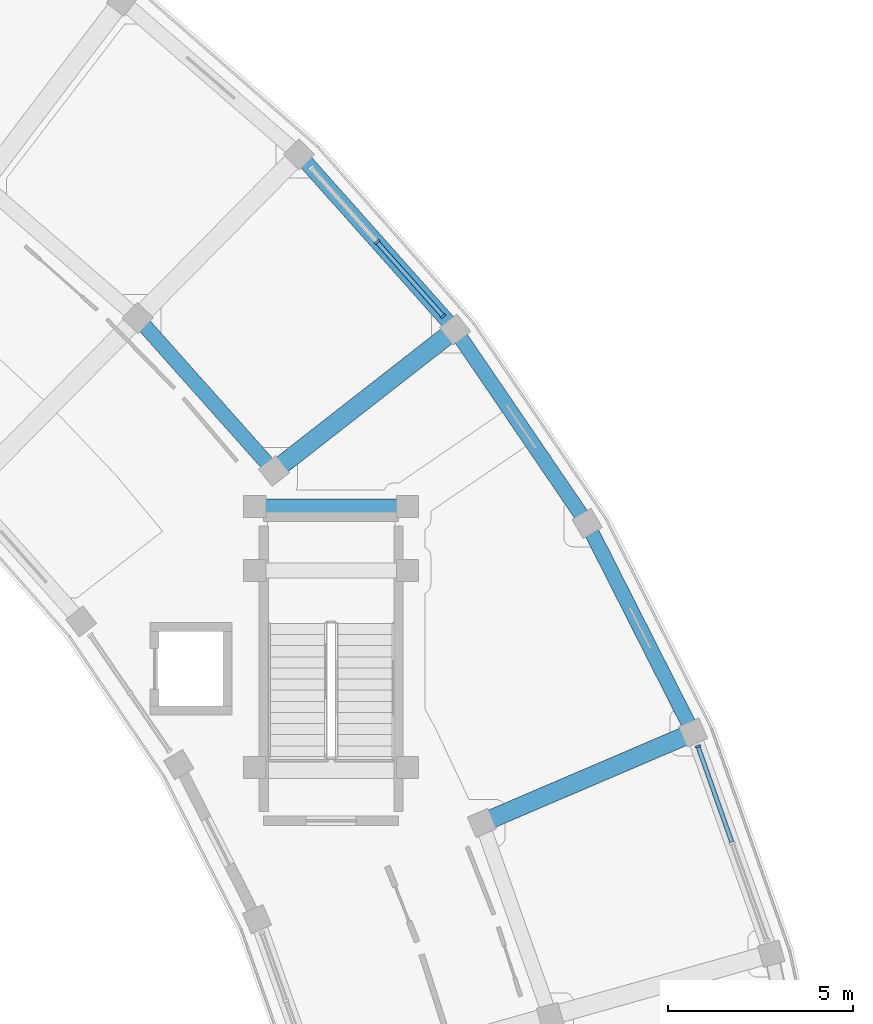
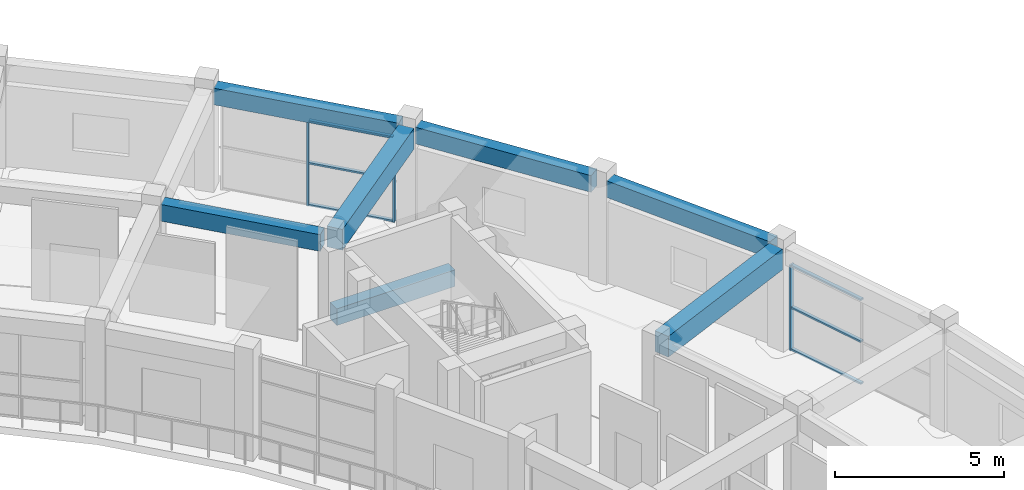
# One storey, part 35 of 72: 9 members, 7 beams, 2 elements without a shape of their own.
"""IFC4 building model written with IfcOpenShell, lengths in metres."""

import ifcopenshell
import ifcopenshell.guid

model = None  # the IFC model being written
_history = None  # IfcOwnerHistory: only IFC2X3 demands one
_inside = {}  # id of a spatial element -> (the spatial element, [elements in it])
_under = {}  # id of a project, library or spatial element -> (it, [spatial elements below it])
_declared = {}  # id of a project -> (the project, [libraries it declares])
_typed = {}  # id of a type object -> (the type object, [elements of that type])
_made_of = {}  # id of a material, layer set ... -> (it, [elements and type objects made of it])


def new_model(schema):
    """Start an empty IFC model of exactly this schema.

    Asked for "IFC4X3", IfcOpenShell would pick the latest addendum, in which some entities
    have other attributes; the version numbers below select the first issue.
    IFC2X3 requires an IfcOwnerHistory on every rooted entity: one is made here for all.
    """
    global model, _history
    if schema == "IFC4X3":
        model = ifcopenshell.file(schema_version=(4, 3, 0, 0))
    else:
        model = ifcopenshell.file(schema=schema)
    _inside.clear()
    _under.clear()
    _declared.clear()
    _typed.clear()
    _made_of.clear()
    _history = None
    if model.schema == "IFC2X3":
        org = make("IfcOrganization", Name="unknown")
        user = make(
            "IfcPersonAndOrganization",
            ThePerson=make("IfcPerson", FamilyName="unknown"),
            TheOrganization=org,
        )
        app = make(
            "IfcApplication",
            ApplicationDeveloper=org,
            Version="unknown",
            ApplicationFullName="unknown",
            ApplicationIdentifier="unknown",
        )
        _history = make(
            "IfcOwnerHistory",
            OwningUser=user,
            OwningApplication=app,
            ChangeAction="ADDED",
            CreationDate=0,
        )
    return model


def make(cls, **values):
    """One entity of the class cls with the attributes given. An attribute that is None is left unset."""
    return model.create_entity(
        cls, **{name: value for name, value in values.items() if value is not None}
    )


def rooted(cls, **values):
    """An entity with a GlobalId (a new one), such as an element, a storey or a relation."""
    return make(cls, GlobalId=ifcopenshell.guid.new(), OwnerHistory=_history, **values)


def si_unit(unit_type, name, prefix=None):
    """IfcSIUnit, for example si_unit("LENGTHUNIT", "METRE", prefix="MILLI")."""
    return make("IfcSIUnit", UnitType=unit_type, Prefix=prefix, Name=name)


def assignment(units):
    """IfcUnitAssignment: the units of a project."""
    return None if units is None else make("IfcUnitAssignment", Units=units)


def point(xyz):
    """IfcCartesianPoint."""
    return None if xyz is None else make("IfcCartesianPoint", Coordinates=xyz)


def direction(xyz):
    """IfcDirection."""
    return None if xyz is None else make("IfcDirection", DirectionRatios=xyz)


def frame(location, z_axis=None, x_axis=None):
    """IfcAxis2Placement3D, a coordinate frame: its origin and axes. An axis left out is left unset."""
    return make(
        "IfcAxis2Placement3D",
        Location=point(location),
        Axis=direction(z_axis),
        RefDirection=direction(x_axis),
    )


def frame_2d(location, x_axis=None):
    """IfcAxis2Placement2D, a coordinate frame in the plane: its origin and x axis."""
    return make(
        "IfcAxis2Placement2D", Location=point(location), RefDirection=direction(x_axis)
    )


def origin():
    """The frame at (0, 0, 0) with its axes left unset."""
    return frame((0.0, 0.0, 0.0))


def origin_2d():
    """The frame at (0, 0) in the plane with its x axis left unset."""
    return frame_2d((0.0, 0.0))


def place(relative_to, where):
    """IfcLocalPlacement: puts the frame where relative to a parent placement (None: the world)."""
    return make(
        "IfcLocalPlacement", PlacementRelTo=relative_to, RelativePlacement=where
    )


def context(
    kind, dimensions, precision=None, world=None, true_north=None, identifier=None
):
    """IfcGeometricRepresentationContext, for example the 3D "Model" context."""
    return make(
        "IfcGeometricRepresentationContext",
        ContextIdentifier=identifier,
        ContextType=kind,
        CoordinateSpaceDimension=dimensions,
        Precision=precision,
        WorldCoordinateSystem=world,
        TrueNorth=true_north,
    )


def subcontext(parent, identifier, kind, view, scale=None):
    """IfcGeometricRepresentationSubContext, for example "Body" below "Model"."""
    return make(
        "IfcGeometricRepresentationSubContext",
        ContextIdentifier=identifier,
        ContextType=kind,
        ParentContext=parent,
        TargetScale=scale,
        TargetView=view,
    )


def project(units=None, contexts=None):
    """IfcProject with its units and contexts."""
    return rooted(
        "IfcProject",
        Name="project",
        RepresentationContexts=contexts,
        UnitsInContext=assignment(units),
    )


def spatial(cls, under=None, at=None, **own):
    """A site, building, storey or space (cls), placed at a placement, below another one or the project."""
    s = rooted(cls, ObjectPlacement=at, **own)
    if under is not None:
        _under.setdefault(under.id(), (under, []))[1].append(s)
    return s


def profile(cls, at=None, kind="AREA", **sizes):
    """A parametric profile (cls). Its sizes go by their IFC names, for example OverallWidth=200.0."""
    return make(cls, ProfileType=kind, Position=at, **sizes)


def rectangle(**sizes):
    """IfcRectangleProfileDef."""
    return profile("IfcRectangleProfileDef", **sizes)


def extrude(swept, where, along, depth):
    """IfcExtrudedAreaSolid: the profile swept, set in the frame where, extruded along a direction by depth."""
    return make(
        "IfcExtrudedAreaSolid",
        SweptArea=swept,
        Position=where,
        ExtrudedDirection=direction(along),
        Depth=depth,
    )


def shape(context_of_items, identifier, shape_type, items):
    """IfcShapeRepresentation: the items that make up one representation, for example the "Body"."""
    return make(
        "IfcShapeRepresentation",
        ContextOfItems=context_of_items,
        RepresentationIdentifier=identifier,
        RepresentationType=shape_type,
        Items=items,
    )


def material(Name=None, Category=None):
    """IfcMaterial."""
    return make("IfcMaterial", Name=Name, Category=Category)


def material_profile(
    of_material, cross_section, Name=None, Category=None, Priority=None
):
    """IfcMaterialProfile: a cross section and its material."""
    return make(
        "IfcMaterialProfile",
        Name=Name,
        Material=of_material,
        Profile=cross_section,
        Priority=Priority,
        Category=Category,
    )


def profile_set(profiles, Name=None, composite=None):
    """IfcMaterialProfileSet."""
    return make(
        "IfcMaterialProfileSet",
        Name=Name,
        MaterialProfiles=profiles,
        CompositeProfile=composite,
    )


def made_of(thing, what):
    """Note that an element or type object is made of a material, layer set ...; save() writes the relation."""
    if what is not None:
        _made_of.setdefault(what.id(), (what, []))[1].append(thing)
    return thing


def type_object(cls, material=None, **own):
    """A type object (cls), such as IfcWallType, which elements share."""
    return made_of(rooted(cls, **own), material)


def element(
    cls,
    number,
    at=None,
    inside=None,
    cuts=None,
    type_object=None,
    material=None,
    context=None,
    identifier="Body",
    shape_type=None,
    held_by="IfcProductDefinitionShape",
    body=None,
    shapes=None,
    **own,
):
    """One element of the class cls, such as IfcWall. Its Tag is "e" and its number.

    at: its placement. inside: the storey or other place that contains it. cuts: it is an
    opening in that element (IfcRelVoidsElement). A single representation is given by context,
    identifier, shape_type and body (its items); several are given by shapes. held_by: the class
    of the entity that holds the representations. save() writes the other relations.
    """
    e = rooted(cls, Tag="e%d" % number, ObjectPlacement=at, **own)
    if body is not None:
        shapes = [shape(context, identifier, shape_type, body)]
    if shapes is not None:
        e.Representation = make(held_by, Representations=shapes)
    if inside is not None:
        _inside.setdefault(inside.id(), (inside, []))[1].append(e)
    if cuts is not None:
        rooted(
            "IfcRelVoidsElement", RelatingBuildingElement=cuts, RelatedOpeningElement=e
        )
    if type_object is not None:
        _typed.setdefault(type_object.id(), (type_object, []))[1].append(e)
    return made_of(e, material)


def aggregate(whole, parts):
    """IfcRelAggregates: a whole, such as a stair, and the parts it consists of."""
    return rooted("IfcRelAggregates", RelatingObject=whole, RelatedObjects=parts)


def save(model, path):
    """Write the relations noted so far, then the file.

    IfcRelAggregates (storeys below a building ...), IfcRelContainedInSpatialStructure (elements
    in a storey), IfcRelDefinesByType, IfcRelAssociatesMaterial and IfcRelDeclares: one each for
    every whole, place, type object, material and project.
    """
    for whole, parts in _under.values():
        aggregate(whole, parts)
    for where, things in _inside.values():
        rooted(
            "IfcRelContainedInSpatialStructure",
            RelatedElements=things,
            RelatingStructure=where,
        )
    for kind, things in _typed.values():
        rooted("IfcRelDefinesByType", RelatedObjects=things, RelatingType=kind)
    for what, things in _made_of.values():
        rooted("IfcRelAssociatesMaterial", RelatedObjects=things, RelatingMaterial=what)
    for by, libraries in _declared.values():
        rooted("IfcRelDeclares", RelatingContext=by, RelatedDefinitions=libraries)
    model.write(path)


model = new_model("IFC4")

# Units and contexts
model_context = context("Model", 3, precision=1e-05, world=origin(), true_north=direction((0.0, 1.0)))
body_context = subcontext(model_context, "Body", "Model", "MODEL_VIEW")
ifc_project = project(units=[si_unit("LENGTHUNIT", "METRE"), si_unit("AREAUNIT", "SQUARE_METRE"), si_unit("VOLUMEUNIT", "CUBIC_METRE"), si_unit("PLANEANGLEUNIT", "RADIAN"), si_unit("MASSUNIT", "GRAM", prefix="KILO")], contexts=[model_context])

# Site, building, storey
site_placement = place(None, origin())
site = spatial("IfcSite", under=ifc_project, at=site_placement, CompositionType="ELEMENT")
building_placement = place(site_placement, origin())
building = spatial("IfcBuilding", under=site, at=building_placement, Name="Saryqyr Civic Hall", CompositionType="ELEMENT")
storey_placement = place(building_placement, frame((0.0, 0.0, 17.25)))
storey = spatial("IfcBuildingStorey", under=building, at=storey_placement, Name="L04", CompositionType="ELEMENT", Elevation=17.25)

# Curtain wall, member
ifc_material_1 = material(Name="Anodised aluminium and triple low-E glass", Category="aluminium")
curtain_wall_type_1 = type_object("IfcCurtainWallType", Name="ENV-CW-STD-14", PredefinedType="NOTDEFINED", material=ifc_material_1)
curtain_wall_1_placement = place(storey_placement, origin())
curtain_wall_1 = element("IfcCurtainWall", 1, at=curtain_wall_1_placement, inside=storey, type_object=curtain_wall_type_1, Name="Curtain wall V6-CWO-L04-02", PredefinedType="NOTDEFINED")
ifc_material_2 = material(Name="Anodised aluminium", Category="aluminium")
ifc_material_profile_1 = material_profile(ifc_material_2, rectangle(XDim=0.06005859375, YDim=0.159912109375, at=origin_2d()), Name="ALU MULLION 60x160")
ifc_profile_set_1 = profile_set([ifc_material_profile_1], Name="Anodised aluminium")
member_type_1 = type_object("IfcMemberType", Name="ENV-CW-MUL-180", PredefinedType="MULLION", material=ifc_profile_set_1)
member_1_placement = place(storey_placement, frame((102.1796875, 102.9072265625, 0.0), z_axis=(0.0, 0.0, 1.0), x_axis=(0.33318018147, -0.942863174949, 0.0)))
member_1 = element("IfcMember", 2, at=member_1_placement, type_object=member_type_1, Name="CW-14 mullion 1", PredefinedType="MULLION", context=body_context, shape_type="SweptSolid", body=[
    extrude(rectangle(XDim=0.06005859375, YDim=0.159912109375, at=origin_2d()), origin(), (0.0, 0.0, 1.0), 3.0849609375),
])

# Curtain wall, members
curtain_wall_type_2 = type_object("IfcCurtainWallType", Name="ENV-CW-STD-36", PredefinedType="NOTDEFINED", material=ifc_material_1)
curtain_wall_2_placement = place(storey_placement, origin())
curtain_wall_2 = element("IfcCurtainWall", 3, at=curtain_wall_2_placement, inside=storey, type_object=curtain_wall_type_2, Name="Curtain wall V6-CWO-L04-05", PredefinedType="NOTDEFINED")
member_2_placement = place(storey_placement, frame((93.521728515625, 116.513916015625, 0.0), z_axis=(0.0, 0.0, 1.0), x_axis=(0.664934159467, -0.746901977219, 0.0)))
member_2 = element("IfcMember", 4, at=member_2_placement, type_object=member_type_1, Name="CW-36 mullion 2", PredefinedType="MULLION", context=body_context, shape_type="SweptSolid", body=[
    extrude(rectangle(XDim=0.06005859375, YDim=0.159912109375, at=origin_2d()), origin(), (0.0, 0.0, 1.0), 3.0849609375),
])
member_3_placement = place(storey_placement, frame((95.302978515625, 114.512939453125, 0.0), z_axis=(0.0, 0.0, 1.0), x_axis=(0.664934159467, -0.746901977219, 0.0)))
member_3 = element("IfcMember", 5, at=member_3_placement, type_object=member_type_1, Name="CW-36 mullion 3", PredefinedType="MULLION", context=body_context, shape_type="SweptSolid", body=[
    extrude(rectangle(XDim=0.06005859375, YDim=0.159912109375, at=origin_2d()), origin(), (0.0, 0.0, 1.0), 3.0849609375),
])

# Member
ifc_material_profile_2 = material_profile(ifc_material_2, rectangle(XDim=0.1201171875, YDim=0.06005859375, at=origin_2d()), Name="ALU TRANSOM 120x60")
ifc_profile_set_2 = profile_set([ifc_material_profile_2], Name="Anodised aluminium")
member_type_2 = type_object("IfcMemberType", Name="ENV-CW-TRN-150", PredefinedType="USERDEFINED", material=ifc_profile_set_2)
member_4_placement = place(storey_placement, frame((102.189697265625, 102.87890625, 0.030029296875), z_axis=(0.333182490283, -0.94286235908, 0.0), x_axis=(0.94286235908, 0.333182490283, 0.0)))
member_4 = element("IfcMember", 6, at=member_4_placement, type_object=member_type_2, Name="CW-14 transom 1.1", ObjectType="TRANSOM", PredefinedType="USERDEFINED", context=body_context, shape_type="SweptSolid", body=[
    extrude(rectangle(XDim=0.1201171875, YDim=0.06005859375, at=origin_2d()), origin(), (0.0, 0.0, 1.0), 2.71337890625),
])

member_5_placement = place(storey_placement, frame((102.189697265625, 102.87890625, 1.54296875), z_axis=(0.333182490283, -0.94286235908, 0.0), x_axis=(0.94286235908, 0.333182490283, 0.0)))
member_5 = element("IfcMember", 7, at=member_5_placement, type_object=member_type_2, Name="CW-14 transom 1.2", ObjectType="TRANSOM", PredefinedType="USERDEFINED", context=body_context, shape_type="SweptSolid", body=[
    extrude(rectangle(XDim=0.1201171875, YDim=0.06005859375, at=origin_2d()), origin(), (0.0, 0.0, 1.0), 2.71337890625),
])

member_6_placement = place(storey_placement, frame((102.189697265625, 102.87890625, 3.054931640625), z_axis=(0.333182490283, -0.94286235908, 0.0), x_axis=(0.94286235908, 0.333182490283, 0.0)))
member_6 = element("IfcMember", 8, at=member_6_placement, type_object=member_type_2, Name="CW-14 transom 1.3", ObjectType="TRANSOM", PredefinedType="USERDEFINED", context=body_context, shape_type="SweptSolid", body=[
    extrude(rectangle(XDim=0.1201171875, YDim=0.06005859375, at=origin_2d()), origin(), (0.0, 0.0, 1.0), 2.71337890625),
])

aggregate(curtain_wall_1, [member_1, member_4, member_5, member_6])

member_7_placement = place(storey_placement, frame((93.541748046875, 116.491455078125, 0.030029296875), z_axis=(0.664948037302, -0.746889622159, 0.0), x_axis=(0.746889622159, 0.664948037302, 0.0)))
member_7 = element("IfcMember", 9, at=member_7_placement, type_object=member_type_2, Name="CW-36 transom 2.1", ObjectType="TRANSOM", PredefinedType="USERDEFINED", context=body_context, shape_type="SweptSolid", body=[
    extrude(rectangle(XDim=0.1201171875, YDim=0.06005859375, at=origin_2d()), origin(), (0.0, 0.0, 1.0), 2.618896484375),
])

member_8_placement = place(storey_placement, frame((93.541748046875, 116.491455078125, 1.54296875), z_axis=(0.664948037302, -0.746889622159, 0.0), x_axis=(0.746889622159, 0.664948037302, 0.0)))
member_8 = element("IfcMember", 10, at=member_8_placement, type_object=member_type_2, Name="CW-36 transom 2.2", ObjectType="TRANSOM", PredefinedType="USERDEFINED", context=body_context, shape_type="SweptSolid", body=[
    extrude(rectangle(XDim=0.1201171875, YDim=0.06005859375, at=origin_2d()), origin(), (0.0, 0.0, 1.0), 2.618896484375),
])

member_9_placement = place(storey_placement, frame((93.541748046875, 116.491455078125, 3.054931640625), z_axis=(0.664948037302, -0.746889622159, 0.0), x_axis=(0.746889622159, 0.664948037302, 0.0)))
member_9 = element("IfcMember", 11, at=member_9_placement, type_object=member_type_2, Name="CW-36 transom 2.3", ObjectType="TRANSOM", PredefinedType="USERDEFINED", context=body_context, shape_type="SweptSolid", body=[
    extrude(rectangle(XDim=0.1201171875, YDim=0.06005859375, at=origin_2d()), origin(), (0.0, 0.0, 1.0), 2.618896484375),
])

aggregate(curtain_wall_2, [member_2, member_3, member_7, member_8, member_9])

# Beams
ifc_material_3 = material(Name="Concrete C35/45", Category="concrete")
ifc_material_profile_3 = material_profile(ifc_material_3, rectangle(XDim=0.39990234375, YDim=0.60009765625, at=origin_2d()), Name="RC 400x600")
ifc_profile_set_3 = profile_set([ifc_material_profile_3], Name="Concrete C35/45")
beam_type_1 = type_object("IfcBeamType", Name="STR-BM-RC400x600", PredefinedType="BEAM", material=ifc_profile_set_3)
beam_1_placement = place(storey_placement, frame((90.555419921875, 110.541015625, 3.409912109375), z_axis=(-0.664939021665, 0.746897648589, 0.0), x_axis=(-0.746897648589, -0.664939021665, 0.0)))
element("IfcBeam", 12, at=beam_1_placement, inside=storey, type_object=beam_type_1, Name="Beam V6-CBM-MID05-L04", PredefinedType="BEAM", context=body_context, shape_type="SweptSolid", body=[
    extrude(rectangle(XDim=0.39990234375, YDim=0.60009765625, at=origin_2d()), origin(), (0.0, 0.0, 1.0), 4.9775390625),
])
beam_2_placement = place(storey_placement, frame((94.300048828125, 109.3798828125, 1.52490234375), z_axis=(-1.0, 0.0, 0.0), x_axis=(0.0, -1.0, 0.0)))
element("IfcBeam", 13, at=beam_2_placement, inside=storey, type_object=beam_type_1, Name="Stair half-landing support beam ST-6-LND2-L04", PredefinedType="BEAM", context=body_context, shape_type="SweptSolid", body=[
    extrude(rectangle(XDim=0.39990234375, YDim=0.60009765625, at=origin_2d()), origin(), (0.0, 0.0, 1.0), 4.0400390625),
])
ifc_material_profile_4 = material_profile(ifc_material_3, rectangle(XDim=0.39990234375, YDim=0.60009765625, at=origin_2d()), Name="RC 400x600")
ifc_profile_set_4 = profile_set([ifc_material_profile_4], Name="Concrete C35/45")
beam_type_2 = type_object("IfcBeamType", Name="STR-BM-RC400x600-EXT", PredefinedType="BEAM", material=ifc_profile_set_4)
for number, where, z_axis, x_axis, name in (
    (14, (101.925048828125, 103.52099609375, 3.409912109375), (-0.451922654691, 0.892057124952, 0.0), (-0.892057124952, -0.451922654691, 0.0), "Beam V6-CBM-OUT03-L04"),
    (15, (99.034423828125, 109.148193359375, 3.409912109375), (-0.563115242299, 0.82637837816, 0.0), (-0.82637837816, -0.563115242299, 0.0), "Beam V6-CBM-OUT04-L04"),
    (16, (95.44287109375, 114.35595703125, 3.409912109375), (-0.664935334845, 0.74690093083, 0.0), (-0.74690093083, -0.664935334845, 0.0), "Beam V6-CBM-OUT05-L04"),
):
    element("IfcBeam", number, at=place(storey_placement, frame(where, z_axis=z_axis, x_axis=x_axis)), inside=storey, type_object=beam_type_2, Name=name, PredefinedType="BEAM", context=body_context, shape_type="SweptSolid", body=[
        extrude(rectangle(XDim=0.39990234375, YDim=0.60009765625, at=origin_2d()), origin(), (0.0, 0.0, 1.0), 5.7783203125),
    ])
ifc_material_4 = material(Name="Concrete C40/50", Category="concrete")
ifc_material_profile_5 = material_profile(ifc_material_4, rectangle(XDim=0.5, YDim=0.75, at=origin_2d()), Name="RC 500x750")
ifc_profile_set_5 = profile_set([ifc_material_profile_5], Name="Concrete C40/50")
beam_type_3 = type_object("IfcBeamType", Name="STR-BM-RC500x750", PredefinedType="BEAM", material=ifc_profile_set_5)
for number, where, z_axis, x_axis, name in (
    (17, (96.60205078125, 100.94482421875, 3.3349609375), (0.919375077042, 0.393382088706, 0.0), (-0.393382088706, 0.919375077042, 0.0), "Beam V6-RBM-B03-L04"),
    (18, (90.955078125, 110.5048828125, 3.3349609375), (0.788283067243, 0.615312770791, 0.0), (-0.615312770791, 0.788283067243, 0.0), "Beam V6-RBM-B05-L04"),
):
    element("IfcBeam", number, at=place(storey_placement, frame(where, z_axis=z_axis, x_axis=x_axis)), inside=storey, type_object=beam_type_3, Name=name, PredefinedType="BEAM", context=body_context, shape_type="SweptSolid", body=[
        extrude(rectangle(XDim=0.5, YDim=0.75, at=origin_2d()), origin(), (0.0, 0.0, 1.0), 5.650146484375),
    ])

save(model, "model.ifc")
